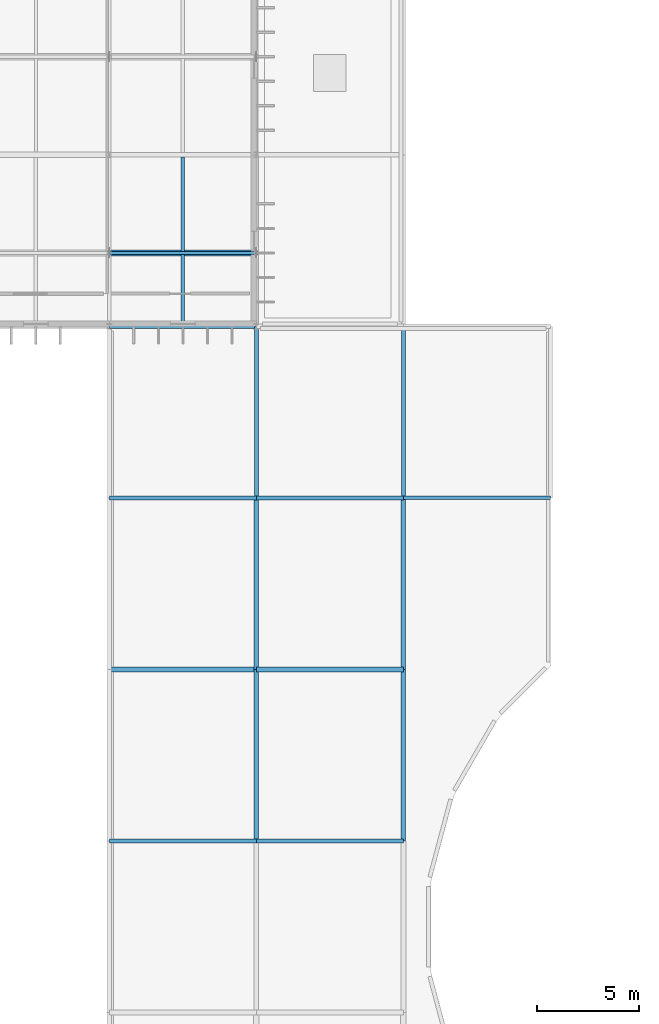
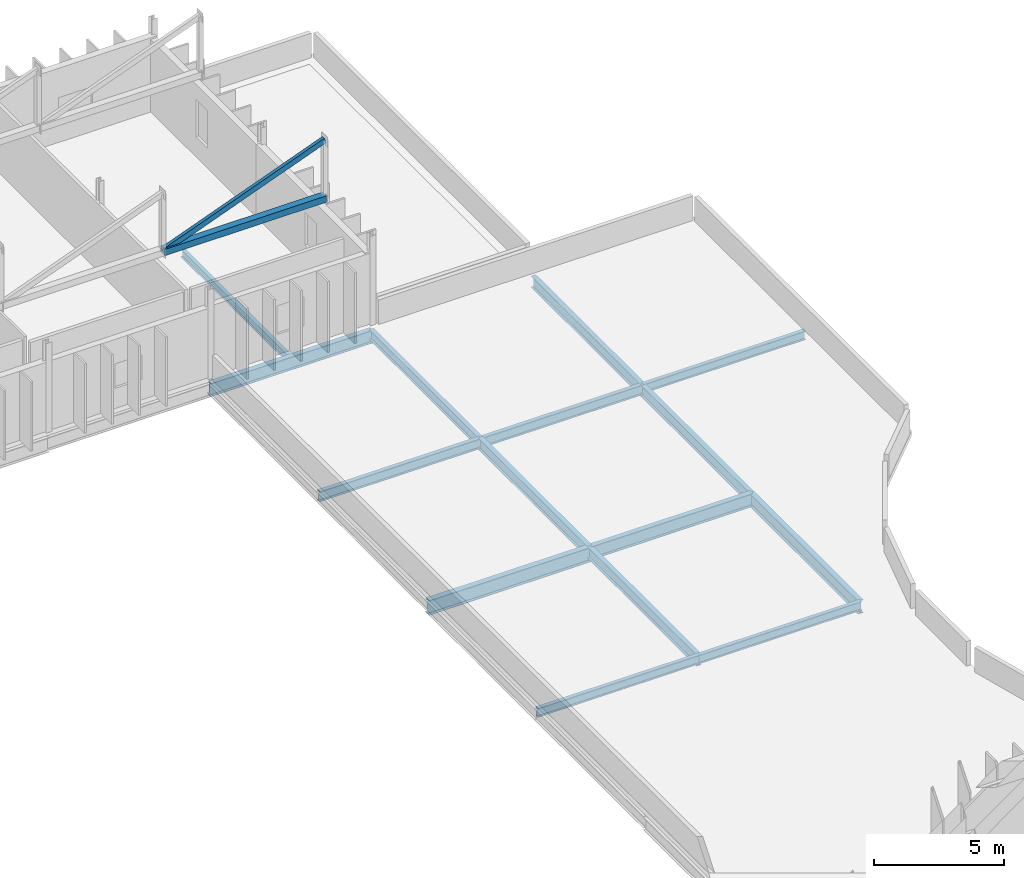
# One storey, part 22 of 52: 15 beams, 2 members.
"""IFC4 building model written with IfcOpenShell, lengths in metres."""

from ifc_helpers import new_model, si_unit, direction, frame, origin, origin_2d, place, context, subcontext, project, spatial, hollow_rectangle, i_section, extrude, material, material_profile, profile_set, type_object, element, save


model = new_model("IFC4")

# Units and contexts
model_context = context("Model", 3, precision=1e-05, world=origin(), true_north=direction((0.0, 1.0)))
body_context = subcontext(model_context, "Body", "Model", "MODEL_VIEW")
ifc_project = project(units=[si_unit("LENGTHUNIT", "METRE"), si_unit("AREAUNIT", "SQUARE_METRE"), si_unit("VOLUMEUNIT", "CUBIC_METRE"), si_unit("PLANEANGLEUNIT", "RADIAN"), si_unit("MASSUNIT", "GRAM", prefix="KILO")], contexts=[model_context])

# Site, building, storey
site_placement = place(None, origin())
site = spatial("IfcSite", under=ifc_project, at=site_placement, CompositionType="ELEMENT")
building_placement = place(site_placement, origin())
building = spatial("IfcBuilding", under=site, at=building_placement, Name="Qelthora Terrace Specialist Clinic", CompositionType="ELEMENT")
storey_placement = place(building_placement, frame((0.0, 0.0, 17.39990234375)))
storey = spatial("IfcBuildingStorey", under=building, at=storey_placement, Name="L04", CompositionType="ELEMENT", Elevation=17.39990234375)

# Beams
ifc_material = material(Name="Steel S355", Category="steel")
ifc_material_profile_1 = material_profile(ifc_material, i_section(OverallWidth=0.178955078125, OverallDepth=0.409912109375, WebThickness=0.0087890625, FlangeThickness=0.014404296875, FilletRadius=0.011962890625, at=origin_2d()), Name="W410X67")
ifc_profile_set_1 = profile_set([ifc_material_profile_1], Name="Steel S355")
beam_type_1 = type_object("IfcBeamType", Name="BM-W410X67", PredefinedType="BEAM", material=ifc_profile_set_1)
beam_1_placement = place(storey_placement, frame((100.800048828125, 67.199951171875, -0.454833984375), z_axis=(1.0, 0.0, 0.0), x_axis=(0.0, 1.0, 0.0)))
element("IfcBeam", 1, at=beam_1_placement, inside=storey, type_object=beam_type_1, Name="Girder BMX-L04-1160", PredefinedType="BEAM", context=body_context, shape_type="SweptSolid", body=[
    extrude(i_section(OverallWidth=0.178955078125, OverallDepth=0.409912109375, WebThickness=0.0087890625, FlangeThickness=0.014404296875, FilletRadius=0.011962890625, at=origin_2d()), origin(), (0.0, 0.0, 1.0), 7.199951171875),
])
ifc_material_profile_2 = material_profile(ifc_material, i_section(OverallWidth=0.179931640625, OverallDepth=0.4130859375, WebThickness=0.009765625, FlangeThickness=0.01611328125, FilletRadius=0.011962890625, at=origin_2d()), Name="W410X75")
ifc_profile_set_2 = profile_set([ifc_material_profile_2], Name="Steel S355")
beam_type_2 = type_object("IfcBeamType", Name="BM-W410X75", PredefinedType="BEAM", material=ifc_profile_set_2)
for number, where, z_axis, x_axis, name in (
    (2, (93.60009765625, 67.199951171875, -0.456298828125), (1.0, 0.0, 0.0), (0.0, 1.0, 0.0), "Girder BMX-L04-1159"),
    (3, (108.0, 84.0, -0.456298828125), (1.0, 0.0, 0.0), (0.0, 1.0, 0.0), "Girder BMX-L04-1171"),
):
    element("IfcBeam", number, at=place(storey_placement, frame(where, z_axis=z_axis, x_axis=x_axis)), inside=storey, type_object=beam_type_2, Name=name, PredefinedType="BEAM", context=body_context, shape_type="SweptSolid", body=[
        extrude(i_section(OverallWidth=0.179931640625, OverallDepth=0.4130859375, WebThickness=0.009765625, FlangeThickness=0.01611328125, FilletRadius=0.011962890625, at=origin_2d()), origin(), (0.0, 0.0, 1.0), 7.199951171875),
    ])
ifc_material_profile_3 = material_profile(ifc_material, i_section(OverallWidth=0.19091796875, OverallDepth=0.4599609375, WebThickness=0.010009765625, FlangeThickness=0.01611328125, FilletRadius=0.012939453125, at=origin_2d()), Name="W460X82")
ifc_profile_set_3 = profile_set([ifc_material_profile_3], Name="Steel S355")
beam_type_3 = type_object("IfcBeamType", Name="BM-W460X82", PredefinedType="BEAM", material=ifc_profile_set_3)
beam_2_placement = place(storey_placement, frame((100.800048828125, 84.0, -0.47998046875), z_axis=(1.0, 0.0, 0.0), x_axis=(0.0, 1.0, 0.0)))
element("IfcBeam", 4, at=beam_2_placement, inside=storey, type_object=beam_type_3, Name="Girder BMX-L04-1170", PredefinedType="BEAM", context=body_context, shape_type="SweptSolid", body=[
    extrude(i_section(OverallWidth=0.19091796875, OverallDepth=0.4599609375, WebThickness=0.010009765625, FlangeThickness=0.01611328125, FilletRadius=0.012939453125, at=origin_2d()), origin(), (0.0, 0.0, 1.0), 7.199951171875),
])
ifc_material_profile_4 = material_profile(ifc_material, i_section(OverallWidth=0.193115234375, OverallDepth=0.466064453125, WebThickness=0.011474609375, FlangeThickness=0.01904296875, FilletRadius=0.012939453125, at=origin_2d()), Name="W460X97")
ifc_profile_set_4 = profile_set([ifc_material_profile_4], Name="Steel S355")
beam_type_4 = type_object("IfcBeamType", Name="BM-W460X97", PredefinedType="BEAM", material=ifc_profile_set_4)
beam_3_placement = place(storey_placement, frame((93.60009765625, 84.0, -0.48291015625), z_axis=(1.0, 0.0, 0.0), x_axis=(0.0, 1.0, 0.0)))
element("IfcBeam", 5, at=beam_3_placement, inside=storey, type_object=beam_type_4, Name="Girder BMX-L04-1169", PredefinedType="BEAM", context=body_context, shape_type="SweptSolid", body=[
    extrude(i_section(OverallWidth=0.193115234375, OverallDepth=0.466064453125, WebThickness=0.011474609375, FlangeThickness=0.01904296875, FilletRadius=0.012939453125, at=origin_2d()), origin(), (0.0, 0.0, 1.0), 7.199951171875),
])
beam_4_placement = place(storey_placement, frame((100.800048828125, 84.0, -0.48291015625), z_axis=(0.0, 1.0, 0.0), x_axis=(-1.0, 0.0, 0.0)))
element("IfcBeam", 6, at=beam_4_placement, inside=storey, type_object=beam_type_4, Name="Girder BMY-L04-1267", PredefinedType="BEAM", context=body_context, shape_type="SweptSolid", body=[
    extrude(i_section(OverallWidth=0.193115234375, OverallDepth=0.466064453125, WebThickness=0.011474609375, FlangeThickness=0.01904296875, FilletRadius=0.012939453125, at=origin_2d()), origin(), (0.0, 0.0, 1.0), 8.39990234375),
])
ifc_material_profile_5 = material_profile(ifc_material, i_section(OverallWidth=0.2099609375, OverallDepth=0.537109375, WebThickness=0.010986328125, FlangeThickness=0.017333984375, FilletRadius=0.013916015625, at=origin_2d()), Name="W530X101")
ifc_profile_set_5 = profile_set([ifc_material_profile_5], Name="Steel S355")
beam_type_5 = type_object("IfcBeamType", Name="BM-W530X101", PredefinedType="BEAM", material=ifc_profile_set_5)
for number, where, z_axis, x_axis, name in (
    (7, (100.800048828125, 75.60009765625, -0.518310546875), (0.0, 1.0, 0.0), (-1.0, 0.0, 0.0), "Girder BMY-L04-1266"),
    (8, (108.0, 84.0, -0.518310546875), (0.0, 1.0, 0.0), (-1.0, 0.0, 0.0), "Girder BMY-L04-1276"),
):
    element("IfcBeam", number, at=place(storey_placement, frame(where, z_axis=z_axis, x_axis=x_axis)), inside=storey, type_object=beam_type_5, Name=name, PredefinedType="BEAM", context=body_context, shape_type="SweptSolid", body=[
        extrude(i_section(OverallWidth=0.2099609375, OverallDepth=0.537109375, WebThickness=0.010986328125, FlangeThickness=0.017333984375, FilletRadius=0.013916015625, at=origin_2d()), origin(), (0.0, 0.0, 1.0), 8.39990234375),
    ])
ifc_material_profile_6 = material_profile(ifc_material, i_section(OverallWidth=0.2119140625, OverallDepth=0.5439453125, WebThickness=0.01318359375, FlangeThickness=0.021240234375, FilletRadius=0.013916015625, at=origin_2d()), Name="W530X123")
ifc_profile_set_6 = profile_set([ifc_material_profile_6], Name="Steel S355")
beam_type_6 = type_object("IfcBeamType", Name="BM-W530X123", PredefinedType="BEAM", material=ifc_profile_set_6)
beam_5_placement = place(storey_placement, frame((100.800048828125, 67.199951171875, -0.52197265625), z_axis=(0.0, 1.0, 0.0), x_axis=(-1.0, 0.0, 0.0)))
element("IfcBeam", 9, at=beam_5_placement, inside=storey, type_object=beam_type_6, Name="Girder BMY-L04-1265", PredefinedType="BEAM", context=body_context, shape_type="SweptSolid", body=[
    extrude(i_section(OverallWidth=0.2119140625, OverallDepth=0.5439453125, WebThickness=0.01318359375, FlangeThickness=0.021240234375, FilletRadius=0.013916015625, at=origin_2d()), origin(), (0.0, 0.0, 1.0), 8.400146484375),
])
beam_6_placement = place(storey_placement, frame((108.0, 75.60009765625, -0.52197265625), z_axis=(0.0, 1.0, 0.0), x_axis=(-1.0, 0.0, 0.0)))
element("IfcBeam", 10, at=beam_6_placement, inside=storey, type_object=beam_type_6, Name="Girder BMY-L04-1275", PredefinedType="BEAM", context=body_context, shape_type="SweptSolid", body=[
    extrude(i_section(OverallWidth=0.2119140625, OverallDepth=0.5439453125, WebThickness=0.01318359375, FlangeThickness=0.021240234375, FilletRadius=0.013916015625, at=origin_2d()), origin(), (0.0, 0.0, 1.0), 8.39990234375),
])
ifc_material_profile_7 = material_profile(ifc_material, i_section(OverallWidth=0.22900390625, OverallDepth=0.612060546875, WebThickness=0.011962890625, FlangeThickness=0.01953125, FilletRadius=0.01611328125, at=origin_2d()), Name="W610X125")
ifc_profile_set_7 = profile_set([ifc_material_profile_7], Name="Steel S355")
beam_type_7 = type_object("IfcBeamType", Name="BM-W610X125", PredefinedType="BEAM", material=ifc_profile_set_7)
beam_7_placement = place(storey_placement, frame((93.60009765625, 92.39990234375, -0.555908203125), z_axis=(1.0, 0.0, 0.0), x_axis=(0.0, 1.0, 0.0)))
element("IfcBeam", 11, at=beam_7_placement, inside=storey, type_object=beam_type_7, Name="Girder BMX-L04-1180", PredefinedType="BEAM", context=body_context, shape_type="SweptSolid", body=[
    extrude(i_section(OverallWidth=0.22900390625, OverallDepth=0.612060546875, WebThickness=0.011962890625, FlangeThickness=0.01953125, FilletRadius=0.01611328125, at=origin_2d()), origin(), (0.0, 0.0, 1.0), 7.199951171875),
])
ifc_material_profile_8 = material_profile(ifc_material, i_section(OverallWidth=0.22998046875, OverallDepth=0.616943359375, WebThickness=0.01318359375, FlangeThickness=0.022216796875, FilletRadius=0.01611328125, at=origin_2d()), Name="W610X140")
ifc_profile_set_8 = profile_set([ifc_material_profile_8], Name="Steel S355")
beam_type_8 = type_object("IfcBeamType", Name="BM-W610X140", PredefinedType="BEAM", material=ifc_profile_set_8)
beam_8_placement = place(storey_placement, frame((100.800048828125, 75.60009765625, -0.558349609375), z_axis=(1.0, 0.0, 0.0), x_axis=(0.0, 1.0, 0.0)))
element("IfcBeam", 12, at=beam_8_placement, inside=storey, type_object=beam_type_8, Name="Girder BMX-L04-1165", PredefinedType="BEAM", context=body_context, shape_type="SweptSolid", body=[
    extrude(i_section(OverallWidth=0.22998046875, OverallDepth=0.616943359375, WebThickness=0.01318359375, FlangeThickness=0.022216796875, FilletRadius=0.01611328125, at=origin_2d()), origin(), (0.0, 0.0, 1.0), 7.199951171875),
])
beam_9_placement = place(storey_placement, frame((108.0, 67.199951171875, -0.558349609375), z_axis=(0.0, 1.0, 0.0), x_axis=(-1.0, 0.0, 0.0)))
element("IfcBeam", 13, at=beam_9_placement, inside=storey, type_object=beam_type_8, Name="Girder BMY-L04-1274", PredefinedType="BEAM", context=body_context, shape_type="SweptSolid", body=[
    extrude(i_section(OverallWidth=0.22998046875, OverallDepth=0.616943359375, WebThickness=0.01318359375, FlangeThickness=0.022216796875, FilletRadius=0.01611328125, at=origin_2d()), origin(), (0.0, 0.0, 1.0), 8.400146484375),
])
ifc_material_profile_9 = material_profile(ifc_material, i_section(OverallWidth=0.25390625, OverallDepth=0.68798828125, WebThickness=0.01318359375, FlangeThickness=0.02099609375, FilletRadius=0.01806640625, at=origin_2d()), Name="W690X152")
ifc_profile_set_9 = profile_set([ifc_material_profile_9], Name="Steel S355")
beam_type_9 = type_object("IfcBeamType", Name="BM-W690X152", PredefinedType="BEAM", material=ifc_profile_set_9)
beam_10_placement = place(storey_placement, frame((93.60009765625, 75.60009765625, -0.593994140625), z_axis=(1.0, 0.0, 0.0), x_axis=(0.0, 1.0, 0.0)))
element("IfcBeam", 14, at=beam_10_placement, inside=storey, type_object=beam_type_9, Name="Girder BMX-L04-1164", PredefinedType="BEAM", context=body_context, shape_type="SweptSolid", body=[
    extrude(i_section(OverallWidth=0.25390625, OverallDepth=0.68798828125, WebThickness=0.01318359375, FlangeThickness=0.02099609375, FilletRadius=0.01806640625, at=origin_2d()), origin(), (0.0, 0.0, 1.0), 7.199951171875),
])
ifc_material_profile_10 = material_profile(ifc_material, i_section(OverallWidth=0.172119140625, OverallDepth=0.35791015625, WebThickness=0.0078125, FlangeThickness=0.01318359375, FilletRadius=0.010986328125, at=origin_2d()), Name="W360X57")
ifc_profile_set_10 = profile_set([ifc_material_profile_10], Name="Steel S355")
beam_type_10 = type_object("IfcBeamType", Name="JST-W360X57", PredefinedType="JOIST", material=ifc_profile_set_10)
beam_11_placement = place(storey_placement, frame((97.199951171875, 92.514404296875, -0.428955078125), z_axis=(0.0, 1.0, 0.0), x_axis=(-1.0, 0.0, 0.0)))
element("IfcBeam", 15, at=beam_11_placement, inside=storey, type_object=beam_type_10, Name="Composite floor joist JST-L04-0284", PredefinedType="JOIST", context=body_context, shape_type="SweptSolid", body=[
    extrude(i_section(OverallWidth=0.172119140625, OverallDepth=0.35791015625, WebThickness=0.0078125, FlangeThickness=0.01318359375, FilletRadius=0.010986328125, at=origin_2d()), origin(), (0.0, 0.0, 1.0), 8.170654296875),
])

# Members
ifc_material_profile_11 = material_profile(ifc_material, hollow_rectangle(XDim=0.300048828125, YDim=0.300048828125, WallThickness=0.011962890625, at=origin_2d()), Name="HSS300X300X12")
ifc_profile_set_11 = profile_set([ifc_material_profile_11], Name="Steel S355")
member_type_1 = type_object("IfcMemberType", Name="MEM-CHORD-HSS300", PredefinedType="CHORD", material=ifc_profile_set_11)
member_1_placement = place(storey_placement, frame((93.60009765625, 96.0, 3.75), z_axis=(1.0, 0.0, 0.0), x_axis=(0.0, 1.0, 0.0)))
element("IfcMember", 16, at=member_1_placement, inside=storey, type_object=member_type_1, Name="Sawtooth bottom tie chord 6A", PredefinedType="CHORD", context=body_context, shape_type="SweptSolid", body=[
    extrude(hollow_rectangle(XDim=0.300048828125, YDim=0.300048828125, WallThickness=0.011962890625, at=origin_2d()), origin(), (0.0, 0.0, 1.0), 7.199951171875),
])
ifc_material_profile_12 = material_profile(ifc_material, hollow_rectangle(XDim=0.14990234375, YDim=0.25, WallThickness=0.010009765625, at=origin_2d()), Name="HSS250X150X10")
ifc_profile_set_12 = profile_set([ifc_material_profile_12], Name="Steel S355")
member_type_2 = type_object("IfcMemberType", Name="MEM-RAFTER-HSS250", PredefinedType="RAFTER", material=ifc_profile_set_12)
member_2_placement = place(storey_placement, frame((93.60009765625, 96.0, 3.75), z_axis=(0.935891555567, 0.0, 0.352288228895), x_axis=(0.0, 1.0, 0.0)))
element("IfcMember", 17, at=member_2_placement, inside=storey, type_object=member_type_2, Name="Sawtooth steel rafter 6A", PredefinedType="RAFTER", context=body_context, shape_type="SweptSolid", body=[
    extrude(hollow_rectangle(XDim=0.14990234375, YDim=0.25, WallThickness=0.010009765625, at=origin_2d()), origin(), (0.0, 0.0, 1.0), 7.693115234375),
])

save(model, "model.ifc")
